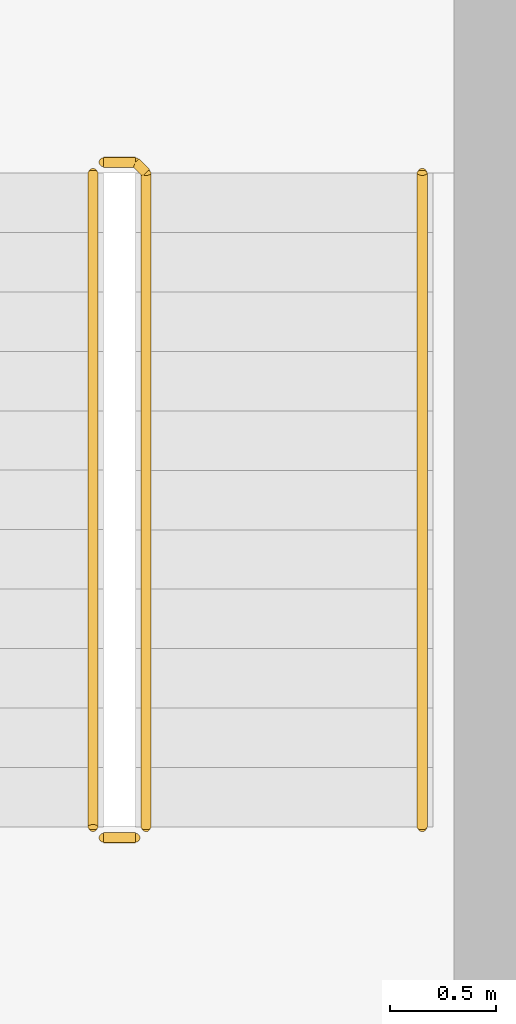
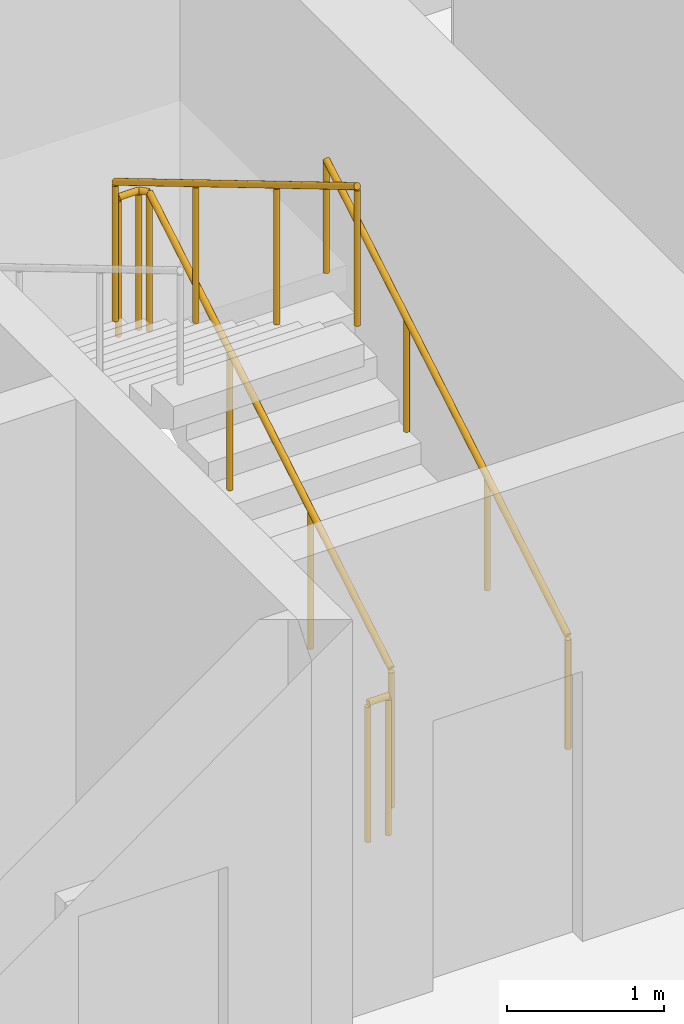
# One storey, part 14 of 14: 4 railings.
"""IFC4 building model written with IfcOpenShell, lengths in metres."""

from ifc_helpers import new_model, si_unit, direction, frame, origin, origin_2d, place, context, subcontext, project, spatial, circle, extrude, material, type_object, element, save


model = new_model("IFC4")

# Units and contexts
model_context = context("Model", 3, precision=1e-05, world=origin(), true_north=direction((0.0, 1.0)))
body_context = subcontext(model_context, "Body", "Model", "MODEL_VIEW")
ifc_project = project(units=[si_unit("LENGTHUNIT", "METRE"), si_unit("AREAUNIT", "SQUARE_METRE"), si_unit("VOLUMEUNIT", "CUBIC_METRE"), si_unit("PLANEANGLEUNIT", "RADIAN"), si_unit("MASSUNIT", "GRAM", prefix="KILO")], contexts=[model_context])

# Site, building, storey
site_placement = place(None, origin())
site = spatial("IfcSite", under=ifc_project, at=site_placement, CompositionType="ELEMENT")
building_placement = place(site_placement, origin())
building = spatial("IfcBuilding", under=site, at=building_placement, Name="Mopane Tessera Tower", CompositionType="ELEMENT")
storey_placement = place(building_placement, frame((0.0, 0.0, 227.0)))
storey = spatial("IfcBuildingStorey", under=building, at=storey_placement, Name="L48", CompositionType="ELEMENT", Elevation=227.0)

# Railings
ifc_material_1 = material(Name="Powder-coated steel balustrade", Category="steel")
railing_type_1 = type_object("IfcRailingType", Name="Escape stair guard 1100 mm", PredefinedType="GUARDRAIL", material=ifc_material_1)
railing_1_placement = place(storey_placement, frame((12.35009765625, 7.699951171875, 0.166748046875)))
element("IfcRailing", 1, at=railing_1_placement, inside=storey, type_object=railing_type_1, Name="L48 ST4 stair guard 1", PredefinedType="GUARDRAIL", context=body_context, shape_type="SweptSolid", body=[
    extrude(circle(Radius=0.02392578125, at=origin_2d()), frame((0.0, 0.0, 1.076171875), z_axis=(0.0, 0.859308565015, 0.511457515432), x_axis=(-1.0, 0.0, 0.0)), (0.0, 0.0, 1.0), 3.58447265625),
    extrude(circle(Radius=0.02392578125, at=origin_2d()), frame((0.0, 3.080078125, 2.9091796875), z_axis=(-0.707106781187, 0.707106781187, 0.0), x_axis=(-0.707106781187, -0.707106781187, 0.0)), (0.0, 0.0, 1.0), 0.07080078125),
    extrude(circle(Radius=0.02392578125, at=origin_2d()), frame((-0.050048828125, 3.130126953125, 2.9091796875), z_axis=(-1.0, 0.0, 0.0), x_axis=(0.0, -1.0, 0.0)), (0.0, 0.0, 1.0), 0.150146484375),
    extrude(circle(Radius=0.02099609375, at=origin_2d()), origin(), (0.0, 0.0, 1.0), 1.052001953125),
    extrude(circle(Radius=0.02099609375, at=origin_2d()), frame((0.0, 1.026611328125, 0.611083984375)), (0.0, 0.0, 1.0), 1.052001953125),
    extrude(circle(Radius=0.02099609375, at=origin_2d()), frame((0.0, 2.053466796875, 1.22216796875)), (0.0, 0.0, 1.0), 1.052001953125),
    extrude(circle(Radius=0.02099609375, at=origin_2d()), frame((0.0, 3.080078125, 1.833251953125)), (0.0, 0.0, 1.0), 1.052001953125),
    extrude(circle(Radius=0.02099609375, at=origin_2d()), frame((-0.050048828125, 3.130126953125, 1.833251953125)), (0.0, 0.0, 1.0), 1.052001953125),
    extrude(circle(Radius=0.02099609375, at=origin_2d()), frame((-0.2001953125, 3.130126953125, 1.833251953125)), (0.0, 0.0, 1.0), 1.052001953125),
])
railing_2_placement = place(storey_placement, frame((12.10009765625, 10.780029296875, 2.166748046875)))
element("IfcRailing", 2, at=railing_2_placement, inside=storey, type_object=railing_type_1, Name="L48 ST4 stair guard 2", PredefinedType="GUARDRAIL", context=body_context, shape_type="SweptSolid", body=[
    extrude(circle(Radius=0.02392578125, at=origin_2d()), frame((0.0, 0.0, 1.076171875), z_axis=(0.0, -0.859308565015, 0.511457515432), x_axis=(1.0, 0.0, 0.0)), (0.0, 0.0, 1.0), 3.58447265625),
    extrude(circle(Radius=0.02099609375, at=origin_2d()), origin(), (0.0, 0.0, 1.0), 1.052001953125),
    extrude(circle(Radius=0.02099609375, at=origin_2d()), frame((0.0, -1.026611328125, 0.611083984375)), (0.0, 0.0, 1.0), 1.052001953125),
    extrude(circle(Radius=0.02099609375, at=origin_2d()), frame((0.0, -2.053466796875, 1.22216796875)), (0.0, 0.0, 1.0), 1.052001953125),
    extrude(circle(Radius=0.02099609375, at=origin_2d()), frame((0.0, -3.080078125, 1.833251953125)), (0.0, 0.0, 1.0), 1.052001953125),
])
railing_3_placement = place(storey_placement, frame((12.300048828125, 7.64990234375, 0.0)))
element("IfcRailing", 3, at=railing_3_placement, inside=storey, type_object=railing_type_1, Name="L48 ST4 stair guard 3", PredefinedType="GUARDRAIL", context=body_context, shape_type="SweptSolid", body=[
    extrude(circle(Radius=0.02392578125, at=origin_2d()), frame((0.0, 0.0, 1.076171875), z_axis=(-1.0, 0.0, 0.0), x_axis=(0.0, -1.0, 0.0)), (0.0, 0.0, 1.0), 0.150146484375),
    extrude(circle(Radius=0.02099609375, at=origin_2d()), origin(), (0.0, 0.0, 1.0), 1.052001953125),
    extrude(circle(Radius=0.02099609375, at=origin_2d()), frame((-0.150146484375, 0.0, 0.0)), (0.0, 0.0, 1.0), 1.052001953125),
])
ifc_material_2 = material(Name="Powder-coated steel balustrade", Category="steel")
railing_type_2 = type_object("IfcRailingType", Name="Escape stair handrail 900 mm", PredefinedType="HANDRAIL", material=ifc_material_2)
railing_4_placement = place(storey_placement, frame((13.64990234375, 7.699951171875, 0.166748046875)))
element("IfcRailing", 4, at=railing_4_placement, inside=storey, type_object=railing_type_2, Name="L48 ST4 stair handrail 1", PredefinedType="HANDRAIL", context=body_context, shape_type="SweptSolid", body=[
    extrude(circle(Radius=0.02392578125, at=origin_2d()), frame((0.0, 0.0, 0.8759765625), z_axis=(0.0, 0.859308565015, 0.511457515432), x_axis=(-1.0, 0.0, 0.0)), (0.0, 0.0, 1.0), 3.58447265625),
    extrude(circle(Radius=0.02099609375, at=origin_2d()), origin(), (0.0, 0.0, 1.0), 0.851806640625),
    extrude(circle(Radius=0.02099609375, at=origin_2d()), frame((0.0, 1.026611328125, 0.611083984375)), (0.0, 0.0, 1.0), 0.851806640625),
    extrude(circle(Radius=0.02099609375, at=origin_2d()), frame((0.0, 2.053466796875, 1.22216796875)), (0.0, 0.0, 1.0), 0.851806640625),
    extrude(circle(Radius=0.02099609375, at=origin_2d()), frame((0.0, 3.080078125, 1.833251953125)), (0.0, 0.0, 1.0), 0.851806640625),
])

save(model, "model.ifc")
